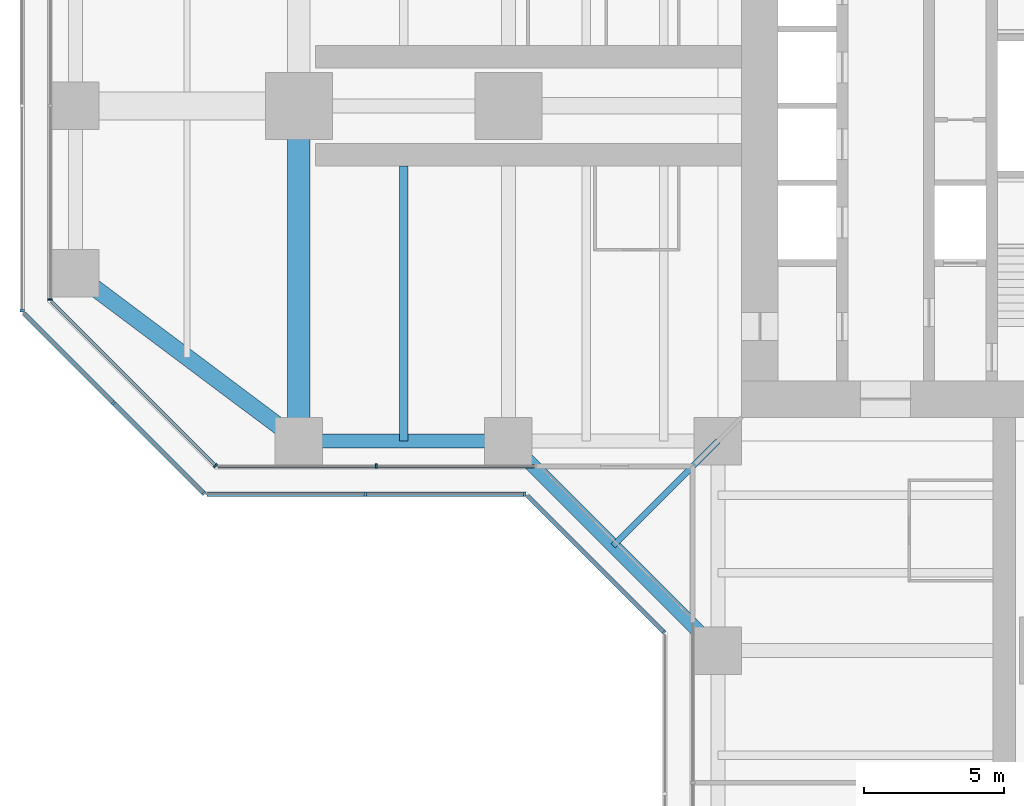
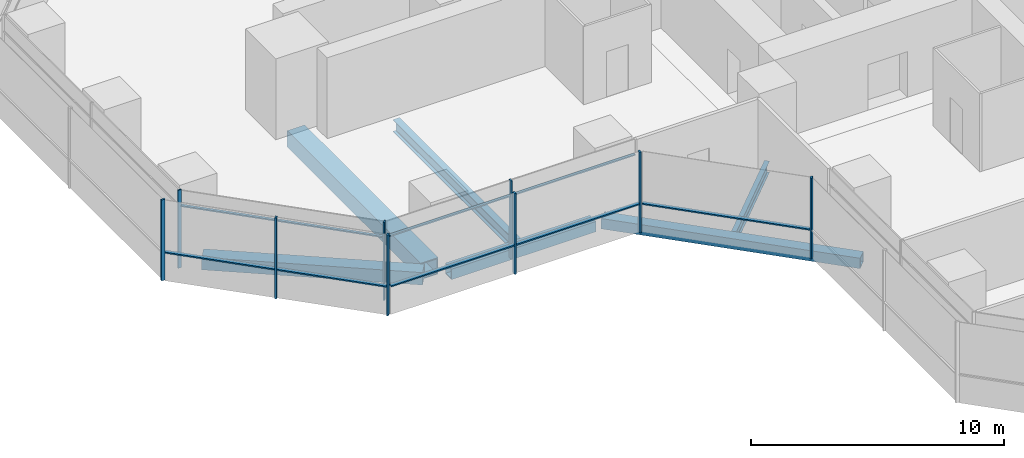
# One storey, part 3 of 22: 17 members, 6 beams, 7 elements without a shape of their own.
"""IFC4 building model written with IfcOpenShell, lengths in metres."""

import ifcopenshell
import ifcopenshell.guid

model = None  # the IFC model being written
_history = None  # IfcOwnerHistory: only IFC2X3 demands one
_inside = {}  # id of a spatial element -> (the spatial element, [elements in it])
_under = {}  # id of a project, library or spatial element -> (it, [spatial elements below it])
_declared = {}  # id of a project -> (the project, [libraries it declares])
_typed = {}  # id of a type object -> (the type object, [elements of that type])
_made_of = {}  # id of a material, layer set ... -> (it, [elements and type objects made of it])


def new_model(schema):
    """Start an empty IFC model of exactly this schema.

    Asked for "IFC4X3", IfcOpenShell would pick the latest addendum, in which some entities
    have other attributes; the version numbers below select the first issue.
    IFC2X3 requires an IfcOwnerHistory on every rooted entity: one is made here for all.
    """
    global model, _history
    if schema == "IFC4X3":
        model = ifcopenshell.file(schema_version=(4, 3, 0, 0))
    else:
        model = ifcopenshell.file(schema=schema)
    _inside.clear()
    _under.clear()
    _declared.clear()
    _typed.clear()
    _made_of.clear()
    _history = None
    if model.schema == "IFC2X3":
        org = make("IfcOrganization", Name="unknown")
        user = make(
            "IfcPersonAndOrganization",
            ThePerson=make("IfcPerson", FamilyName="unknown"),
            TheOrganization=org,
        )
        app = make(
            "IfcApplication",
            ApplicationDeveloper=org,
            Version="unknown",
            ApplicationFullName="unknown",
            ApplicationIdentifier="unknown",
        )
        _history = make(
            "IfcOwnerHistory",
            OwningUser=user,
            OwningApplication=app,
            ChangeAction="ADDED",
            CreationDate=0,
        )
    return model


def make(cls, **values):
    """One entity of the class cls with the attributes given. An attribute that is None is left unset."""
    return model.create_entity(
        cls, **{name: value for name, value in values.items() if value is not None}
    )


def rooted(cls, **values):
    """An entity with a GlobalId (a new one), such as an element, a storey or a relation."""
    return make(cls, GlobalId=ifcopenshell.guid.new(), OwnerHistory=_history, **values)


def si_unit(unit_type, name, prefix=None):
    """IfcSIUnit, for example si_unit("LENGTHUNIT", "METRE", prefix="MILLI")."""
    return make("IfcSIUnit", UnitType=unit_type, Prefix=prefix, Name=name)


def assignment(units):
    """IfcUnitAssignment: the units of a project."""
    return None if units is None else make("IfcUnitAssignment", Units=units)


def point(xyz):
    """IfcCartesianPoint."""
    return None if xyz is None else make("IfcCartesianPoint", Coordinates=xyz)


def direction(xyz):
    """IfcDirection."""
    return None if xyz is None else make("IfcDirection", DirectionRatios=xyz)


def frame(location, z_axis=None, x_axis=None):
    """IfcAxis2Placement3D, a coordinate frame: its origin and axes. An axis left out is left unset."""
    return make(
        "IfcAxis2Placement3D",
        Location=point(location),
        Axis=direction(z_axis),
        RefDirection=direction(x_axis),
    )


def frame_2d(location, x_axis=None):
    """IfcAxis2Placement2D, a coordinate frame in the plane: its origin and x axis."""
    return make(
        "IfcAxis2Placement2D", Location=point(location), RefDirection=direction(x_axis)
    )


def origin():
    """The frame at (0, 0, 0) with its axes left unset."""
    return frame((0.0, 0.0, 0.0))


def origin_2d():
    """The frame at (0, 0) in the plane with its x axis left unset."""
    return frame_2d((0.0, 0.0))


def place(relative_to, where):
    """IfcLocalPlacement: puts the frame where relative to a parent placement (None: the world)."""
    return make(
        "IfcLocalPlacement", PlacementRelTo=relative_to, RelativePlacement=where
    )


def context(
    kind, dimensions, precision=None, world=None, true_north=None, identifier=None
):
    """IfcGeometricRepresentationContext, for example the 3D "Model" context."""
    return make(
        "IfcGeometricRepresentationContext",
        ContextIdentifier=identifier,
        ContextType=kind,
        CoordinateSpaceDimension=dimensions,
        Precision=precision,
        WorldCoordinateSystem=world,
        TrueNorth=true_north,
    )


def subcontext(parent, identifier, kind, view, scale=None):
    """IfcGeometricRepresentationSubContext, for example "Body" below "Model"."""
    return make(
        "IfcGeometricRepresentationSubContext",
        ContextIdentifier=identifier,
        ContextType=kind,
        ParentContext=parent,
        TargetScale=scale,
        TargetView=view,
    )


def project(units=None, contexts=None):
    """IfcProject with its units and contexts."""
    return rooted(
        "IfcProject",
        Name="project",
        RepresentationContexts=contexts,
        UnitsInContext=assignment(units),
    )


def spatial(cls, under=None, at=None, **own):
    """A site, building, storey or space (cls), placed at a placement, below another one or the project."""
    s = rooted(cls, ObjectPlacement=at, **own)
    if under is not None:
        _under.setdefault(under.id(), (under, []))[1].append(s)
    return s


def profile(cls, at=None, kind="AREA", **sizes):
    """A parametric profile (cls). Its sizes go by their IFC names, for example OverallWidth=200.0."""
    return make(cls, ProfileType=kind, Position=at, **sizes)


def rectangle(**sizes):
    """IfcRectangleProfileDef."""
    return profile("IfcRectangleProfileDef", **sizes)


def hollow_rectangle(**sizes):
    """IfcRectangleHollowProfileDef."""
    return profile("IfcRectangleHollowProfileDef", **sizes)


def i_section(**sizes):
    """IfcIShapeProfileDef."""
    return profile("IfcIShapeProfileDef", **sizes)


def extrude(swept, where, along, depth):
    """IfcExtrudedAreaSolid: the profile swept, set in the frame where, extruded along a direction by depth."""
    return make(
        "IfcExtrudedAreaSolid",
        SweptArea=swept,
        Position=where,
        ExtrudedDirection=direction(along),
        Depth=depth,
    )


def shape(context_of_items, identifier, shape_type, items):
    """IfcShapeRepresentation: the items that make up one representation, for example the "Body"."""
    return make(
        "IfcShapeRepresentation",
        ContextOfItems=context_of_items,
        RepresentationIdentifier=identifier,
        RepresentationType=shape_type,
        Items=items,
    )


def material(Name=None, Category=None):
    """IfcMaterial."""
    return make("IfcMaterial", Name=Name, Category=Category)


def material_profile(
    of_material, cross_section, Name=None, Category=None, Priority=None
):
    """IfcMaterialProfile: a cross section and its material."""
    return make(
        "IfcMaterialProfile",
        Name=Name,
        Material=of_material,
        Profile=cross_section,
        Priority=Priority,
        Category=Category,
    )


def profile_set(profiles, Name=None, composite=None):
    """IfcMaterialProfileSet."""
    return make(
        "IfcMaterialProfileSet",
        Name=Name,
        MaterialProfiles=profiles,
        CompositeProfile=composite,
    )


def made_of(thing, what):
    """Note that an element or type object is made of a material, layer set ...; save() writes the relation."""
    if what is not None:
        _made_of.setdefault(what.id(), (what, []))[1].append(thing)
    return thing


def type_object(cls, material=None, **own):
    """A type object (cls), such as IfcWallType, which elements share."""
    return made_of(rooted(cls, **own), material)


def element(
    cls,
    number,
    at=None,
    inside=None,
    cuts=None,
    type_object=None,
    material=None,
    context=None,
    identifier="Body",
    shape_type=None,
    held_by="IfcProductDefinitionShape",
    body=None,
    shapes=None,
    **own,
):
    """One element of the class cls, such as IfcWall. Its Tag is "e" and its number.

    at: its placement. inside: the storey or other place that contains it. cuts: it is an
    opening in that element (IfcRelVoidsElement). A single representation is given by context,
    identifier, shape_type and body (its items); several are given by shapes. held_by: the class
    of the entity that holds the representations. save() writes the other relations.
    """
    e = rooted(cls, Tag="e%d" % number, ObjectPlacement=at, **own)
    if body is not None:
        shapes = [shape(context, identifier, shape_type, body)]
    if shapes is not None:
        e.Representation = make(held_by, Representations=shapes)
    if inside is not None:
        _inside.setdefault(inside.id(), (inside, []))[1].append(e)
    if cuts is not None:
        rooted(
            "IfcRelVoidsElement", RelatingBuildingElement=cuts, RelatedOpeningElement=e
        )
    if type_object is not None:
        _typed.setdefault(type_object.id(), (type_object, []))[1].append(e)
    return made_of(e, material)


def aggregate(whole, parts):
    """IfcRelAggregates: a whole, such as a stair, and the parts it consists of."""
    return rooted("IfcRelAggregates", RelatingObject=whole, RelatedObjects=parts)


def save(model, path):
    """Write the relations noted so far, then the file.

    IfcRelAggregates (storeys below a building ...), IfcRelContainedInSpatialStructure (elements
    in a storey), IfcRelDefinesByType, IfcRelAssociatesMaterial and IfcRelDeclares: one each for
    every whole, place, type object, material and project.
    """
    for whole, parts in _under.values():
        aggregate(whole, parts)
    for where, things in _inside.values():
        rooted(
            "IfcRelContainedInSpatialStructure",
            RelatedElements=things,
            RelatingStructure=where,
        )
    for kind, things in _typed.values():
        rooted("IfcRelDefinesByType", RelatedObjects=things, RelatingType=kind)
    for what, things in _made_of.values():
        rooted("IfcRelAssociatesMaterial", RelatedObjects=things, RelatingMaterial=what)
    for by, libraries in _declared.values():
        rooted("IfcRelDeclares", RelatingContext=by, RelatedDefinitions=libraries)
    model.write(path)


model = new_model("IFC4")

# Units and contexts
model_context = context("Model", 3, precision=1e-05, world=origin(), true_north=direction((0.0, 1.0)))
body_context = subcontext(model_context, "Body", "Model", "MODEL_VIEW")
ifc_project = project(units=[si_unit("LENGTHUNIT", "METRE"), si_unit("AREAUNIT", "SQUARE_METRE"), si_unit("VOLUMEUNIT", "CUBIC_METRE"), si_unit("PLANEANGLEUNIT", "RADIAN"), si_unit("MASSUNIT", "GRAM", prefix="KILO")], contexts=[model_context])

# Site, building, storey
site_placement = place(None, origin())
site = spatial("IfcSite", under=ifc_project, at=site_placement, CompositionType="ELEMENT")
building_placement = place(site_placement, origin())
building = spatial("IfcBuilding", under=site, at=building_placement, Name="Mizan Broadcast Tower", CompositionType="ELEMENT")
storey_placement = place(building_placement, frame((0.0, 0.0, 94.199951171875)))
storey = spatial("IfcBuildingStorey", under=building, at=storey_placement, Name="L20", CompositionType="ELEMENT", Elevation=94.199951171875)

# Beams
ifc_material_1 = material(Name="Steel S355", Category="steel")
ifc_material_profile_1 = material_profile(ifc_material_1, hollow_rectangle(XDim=0.5, YDim=0.5, WallThickness=0.030029296875, at=origin_2d()), Name="BOX 500x500x30")
ifc_profile_set_1 = profile_set([ifc_material_profile_1], Name="Steel S355")
beam_type_1 = type_object("IfcBeamType", Name="EDGE BEAM BOX 500x500x30", PredefinedType="SPANDREL", material=ifc_profile_set_1)
beam_1_placement = place(storey_placement, frame((-19.949951171875, -12.0, -0.3798828125), z_axis=(-1.0, 0.0, 0.0), x_axis=(0.0, -1.0, 0.0)))
element("IfcBeam", 1, at=beam_1_placement, inside=storey, type_object=beam_type_1, Name="Edge beam BOX 500x500x30 L20 west arm", PredefinedType="SPANDREL", context=body_context, shape_type="SweptSolid", body=[
    extrude(hollow_rectangle(XDim=0.5, YDim=0.5, WallThickness=0.030029296875, at=origin_2d()), origin(), (0.0, 0.0, 1.0), 6.60009765625),
])
beam_2_placement = place(storey_placement, frame((-19.5, -12.0, -0.3798828125), z_axis=(0.707106781187, -0.707106781187, 0.0), x_axis=(0.707106781187, 0.707106781187, 0.0)))
element("IfcBeam", 2, at=beam_2_placement, inside=storey, type_object=beam_type_1, Name="Winter garden edge beam L20 W", PredefinedType="SPANDREL", context=body_context, shape_type="SweptSolid", body=[
    extrude(hollow_rectangle(XDim=0.5, YDim=0.5, WallThickness=0.030029296875, at=origin_2d()), origin(), (0.0, 0.0, 1.0), 10.606689453125),
])
ifc_material_2 = material(Name="Steel S355", Category="steel")
ifc_material_profile_2 = material_profile(ifc_material_2, hollow_rectangle(XDim=0.60009765625, YDim=0.60009765625, WallThickness=0.030029296875, at=origin_2d()), Name="BOX 600x600x30")
ifc_profile_set_2 = profile_set([ifc_material_profile_2], Name="Steel S355")
beam_type_2 = type_object("IfcBeamType", Name="EDGE BEAM BOX 600x600x30", PredefinedType="SPANDREL", material=ifc_profile_set_2)
beam_3_placement = place(storey_placement, frame((-27.47998046875, -11.639892578125, -0.429931640625), z_axis=(-0.800013316712, 0.599982243973, 0.0), x_axis=(-0.599982243973, -0.800013316712, 0.0)))
element("IfcBeam", 3, at=beam_3_placement, inside=storey, type_object=beam_type_2, Name="Edge beam BOX 600x600x30 L20 west arm", PredefinedType="SPANDREL", context=body_context, shape_type="SweptSolid", body=[
    extrude(hollow_rectangle(XDim=0.60009765625, YDim=0.60009765625, WallThickness=0.030029296875, at=origin_2d()), origin(), (0.0, 0.0, 1.0), 8.7998046875),
])
ifc_material_3 = material(Name="Steel S460", Category="steel")
ifc_material_profile_3 = material_profile(ifc_material_3, hollow_rectangle(XDim=0.800048828125, YDim=0.800048828125, WallThickness=0.050048828125, at=origin_2d()), Name="BOX 800x800x50")
ifc_profile_set_3 = profile_set([ifc_material_profile_3], Name="Steel S460")
beam_type_3 = type_object("IfcBeamType", Name="GIRDER BOX 800x800x50", PredefinedType="BEAM", material=ifc_profile_set_3)
beam_4_placement = place(storey_placement, frame((-27.0, -11.280029296875, -0.530029296875), z_axis=(0.0, 1.0, 0.0), x_axis=(-1.0, 0.0, 0.0)))
element("IfcBeam", 4, at=beam_4_placement, inside=storey, type_object=beam_type_3, Name="Girder BOX 800x800x50 L20 west arm", PredefinedType="BEAM", context=body_context, shape_type="SweptSolid", body=[
    extrude(hollow_rectangle(XDim=0.800048828125, YDim=0.800048828125, WallThickness=0.050048828125, at=origin_2d()), origin(), (0.0, 0.0, 1.0), 10.56005859375),
])

# Curtain wall, member
ifc_material_4 = material(Name="Aluminium framed glazing", Category="aluminium")
curtain_wall_type_1 = type_object("IfcCurtainWallType", Name="INNER SKIN LOW ZONE", PredefinedType="USERDEFINED", material=ifc_material_4)
curtain_wall_1_placement = place(storey_placement, origin())
curtain_wall_1 = element("IfcCurtainWall", 5, at=curtain_wall_1_placement, inside=storey, type_object=curtain_wall_type_1, Name="Inner skin low zone L20 W end", ObjectType="INNER SKIN LOW ZONE", PredefinedType="USERDEFINED")
ifc_material_5 = material(Name="Aluminium, pale anodised", Category="aluminium")
ifc_material_profile_4 = material_profile(ifc_material_5, rectangle(XDim=0.159912109375, YDim=0.06005859375, at=origin_2d()), Name="MULLION 160x60")
ifc_profile_set_4 = profile_set([ifc_material_profile_4], Name="Aluminium, pale anodised")
member_type_1 = type_object("IfcMemberType", Name="INNER SKIN MULLION 60x160", PredefinedType="MULLION", material=ifc_profile_set_4)
member_1_placement = place(storey_placement, frame((-35.89990234375, -6.928466796875, 0.0), z_axis=(0.0, 0.0, 1.0), x_axis=(1.0, 0.0, 0.0)))
member_1 = element("IfcMember", 6, at=member_1_placement, type_object=member_type_1, Name="Inner skin low zone L20 W end mullion 3", PredefinedType="MULLION", context=body_context, shape_type="SweptSolid", body=[
    extrude(rectangle(XDim=0.159912109375, YDim=0.06005859375, at=origin_2d()), origin(), (0.0, 0.0, 1.0), 3.77001953125),
])
aggregate(curtain_wall_1, [member_1])

curtain_wall_2_placement = place(storey_placement, origin())
curtain_wall_2 = element("IfcCurtainWall", 7, at=curtain_wall_2_placement, inside=storey, type_object=curtain_wall_type_1, Name="Inner skin low zone L20 W chamfer", ObjectType="INNER SKIN LOW ZONE", PredefinedType="USERDEFINED")
member_2_placement = place(storey_placement, frame((-29.979736328125, -12.87890625, 0.0), z_axis=(0.0, 0.0, 1.0), x_axis=(0.707106781187, 0.707106781187, 0.0)))
member_2 = element("IfcMember", 8, at=member_2_placement, type_object=member_type_1, Name="Inner skin low zone L20 W chamfer mullion 2", PredefinedType="MULLION", context=body_context, shape_type="SweptSolid", body=[
    extrude(rectangle(XDim=0.159912109375, YDim=0.06005859375, at=origin_2d()), origin(), (0.0, 0.0, 1.0), 3.77001953125),
])

curtain_wall_3_placement = place(storey_placement, origin())
curtain_wall_3 = element("IfcCurtainWall", 9, at=curtain_wall_3_placement, inside=storey, type_object=curtain_wall_type_1, Name="Inner skin low zone L20 W side", ObjectType="INNER SKIN LOW ZONE", PredefinedType="USERDEFINED")
member_3_placement = place(storey_placement, frame((-24.229248046875, -12.89990234375, 0.0), z_axis=(0.0, 0.0, 1.0), x_axis=(0.0, 1.0, 0.0)))
member_3 = element("IfcMember", 10, at=member_3_placement, type_object=member_type_1, Name="Inner skin low zone L20 W side mullion 2", PredefinedType="MULLION", context=body_context, shape_type="SweptSolid", body=[
    extrude(rectangle(XDim=0.159912109375, YDim=0.06005859375, at=origin_2d()), origin(), (0.0, 0.0, 1.0), 3.77001953125),
])

# Member
ifc_material_6 = material(Name="Aluminium, pale anodised", Category="aluminium")
ifc_material_profile_5 = material_profile(ifc_material_6, rectangle(XDim=0.1201171875, YDim=0.06005859375, at=origin_2d()), Name="TRANSOM 120x60")
ifc_profile_set_5 = profile_set([ifc_material_profile_5], Name="Aluminium, pale anodised")
member_type_2 = type_object("IfcMemberType", Name="INNER SKIN TRANSOM 60x120", PredefinedType="USERDEFINED", material=ifc_profile_set_5)
member_4_placement = place(storey_placement, frame((-35.857666015625, -7.0009765625, 3.030029296875), z_axis=(0.707106781187, -0.707106781187, 0.0), x_axis=(0.707106781187, 0.707106781187, 0.0)))
member_4 = element("IfcMember", 11, at=member_4_placement, type_object=member_type_2, Name="Inner skin low zone L20 W chamfer transom 1.1", ObjectType="TRANSOM", PredefinedType="USERDEFINED", context=body_context, shape_type="SweptSolid", body=[
    extrude(rectangle(XDim=0.1201171875, YDim=0.06005859375, at=origin_2d()), origin(), (0.0, 0.0, 1.0), 8.28271484375),
])

aggregate(curtain_wall_2, [member_2, member_4])

member_5_placement = place(storey_placement, frame((-29.898681640625, -12.89990234375, 3.030029296875), z_axis=(1.0, 0.0, 0.0), x_axis=(0.0, 1.0, 0.0)))
member_5 = element("IfcMember", 12, at=member_5_placement, type_object=member_type_2, Name="Inner skin low zone L20 W side transom 1.1", ObjectType="TRANSOM", PredefinedType="USERDEFINED", context=body_context, shape_type="SweptSolid", body=[
    extrude(rectangle(XDim=0.1201171875, YDim=0.06005859375, at=origin_2d()), origin(), (0.0, 0.0, 1.0), 5.639404296875),
])

member_6_placement = place(storey_placement, frame((-24.19921875, -12.89990234375, 3.030029296875), z_axis=(1.0, 0.0, 0.0), x_axis=(0.0, 1.0, 0.0)))
member_6 = element("IfcMember", 13, at=member_6_placement, type_object=member_type_2, Name="Inner skin low zone L20 W side transom 2.1", ObjectType="TRANSOM", PredefinedType="USERDEFINED", context=body_context, shape_type="SweptSolid", body=[
    extrude(rectangle(XDim=0.1201171875, YDim=0.06005859375, at=origin_2d()), origin(), (0.0, 0.0, 1.0), 5.63916015625),
])

aggregate(curtain_wall_3, [member_3, member_5, member_6])

# Curtain wall, member
ifc_material_7 = material(Name="Aluminium framed glazing", Category="aluminium")
curtain_wall_type_2 = type_object("IfcCurtainWallType", Name="OUTER SKIN", PredefinedType="USERDEFINED", material=ifc_material_7)
curtain_wall_4_placement = place(storey_placement, origin())
curtain_wall_4 = element("IfcCurtainWall", 14, at=curtain_wall_4_placement, inside=storey, type_object=curtain_wall_type_2, Name="Outer skin L20 W end", ObjectType="OUTER SKIN", PredefinedType="USERDEFINED")
ifc_material_8 = material(Name="Aluminium, pale anodised", Category="aluminium")
ifc_material_profile_6 = material_profile(ifc_material_8, rectangle(XDim=0.159912109375, YDim=0.080078125, at=origin_2d()), Name="MULLION 160x80")
ifc_profile_set_6 = profile_set([ifc_material_profile_6], Name="Aluminium, pale anodised")
member_type_3 = type_object("IfcMemberType", Name="OUTER SKIN MULLION 80x160", PredefinedType="MULLION", material=ifc_profile_set_6)
member_7_placement = place(storey_placement, frame((-36.89990234375, -7.332763671875, 0.0), z_axis=(0.0, 0.0, 1.0), x_axis=(1.0, 0.0, 0.0)))
member_7 = element("IfcMember", 15, at=member_7_placement, type_object=member_type_3, Name="Outer skin L20 W end mullion 3", PredefinedType="MULLION", context=body_context, shape_type="SweptSolid", body=[
    extrude(rectangle(XDim=0.159912109375, YDim=0.080078125, at=origin_2d()), origin(), (0.0, 0.0, 1.0), 3.900146484375),
])
aggregate(curtain_wall_4, [member_7])

# Curtain wall, members
curtain_wall_5_placement = place(storey_placement, origin())
curtain_wall_5 = element("IfcCurtainWall", 16, at=curtain_wall_5_placement, inside=storey, type_object=curtain_wall_type_2, Name="Outer skin L20 W chamfer", ObjectType="OUTER SKIN", PredefinedType="USERDEFINED")
member_8_placement = place(storey_placement, frame((-33.636474609375, -10.636474609375, 0.0), z_axis=(0.0, 0.0, 1.0), x_axis=(0.707106781187, 0.707106781187, 0.0)))
member_8 = element("IfcMember", 17, at=member_8_placement, type_object=member_type_3, Name="Outer skin L20 W chamfer mullion 2", PredefinedType="MULLION", context=body_context, shape_type="SweptSolid", body=[
    extrude(rectangle(XDim=0.159912109375, YDim=0.080078125, at=origin_2d()), origin(), (0.0, 0.0, 1.0), 3.900146484375),
])
member_9_placement = place(storey_placement, frame((-30.401123046875, -13.871826171875, 0.0), z_axis=(0.0, 0.0, 1.0), x_axis=(0.707106781187, 0.707106781187, 0.0)))
member_9 = element("IfcMember", 18, at=member_9_placement, type_object=member_type_3, Name="Outer skin L20 W chamfer mullion 3", PredefinedType="MULLION", context=body_context, shape_type="SweptSolid", body=[
    extrude(rectangle(XDim=0.159912109375, YDim=0.080078125, at=origin_2d()), origin(), (0.0, 0.0, 1.0), 3.900146484375),
])

curtain_wall_6_placement = place(storey_placement, origin())
curtain_wall_6 = element("IfcCurtainWall", 19, at=curtain_wall_6_placement, inside=storey, type_object=curtain_wall_type_2, Name="Outer skin L20 W side", ObjectType="OUTER SKIN", PredefinedType="USERDEFINED")
member_10_placement = place(storey_placement, frame((-24.622802734375, -13.89990234375, 0.0), z_axis=(0.0, 0.0, 1.0), x_axis=(0.0, 1.0, 0.0)))
member_10 = element("IfcMember", 20, at=member_10_placement, type_object=member_type_3, Name="Outer skin L20 W side mullion 2", PredefinedType="MULLION", context=body_context, shape_type="SweptSolid", body=[
    extrude(rectangle(XDim=0.159912109375, YDim=0.080078125, at=origin_2d()), origin(), (0.0, 0.0, 1.0), 3.900146484375),
])
member_11_placement = place(storey_placement, frame((-18.912841796875, -13.89990234375, 0.0), z_axis=(0.0, 0.0, 1.0), x_axis=(0.0, 1.0, 0.0)))
member_11 = element("IfcMember", 21, at=member_11_placement, type_object=member_type_3, Name="Outer skin L20 W side mullion 3", PredefinedType="MULLION", context=body_context, shape_type="SweptSolid", body=[
    extrude(rectangle(XDim=0.159912109375, YDim=0.080078125, at=origin_2d()), origin(), (0.0, 0.0, 1.0), 3.900146484375),
])

# Curtain wall, member
curtain_wall_7_placement = place(storey_placement, origin())
curtain_wall_7 = element("IfcCurtainWall", 22, at=curtain_wall_7_placement, inside=storey, type_object=curtain_wall_type_2, Name="Outer skin L20 W chamfer", ObjectType="OUTER SKIN", PredefinedType="USERDEFINED")
member_12_placement = place(storey_placement, frame((-13.92822265625, -18.844482421875, 0.0), z_axis=(0.0, 0.0, 1.0), x_axis=(0.707106781187, 0.707106781187, 0.0)))
member_12 = element("IfcMember", 23, at=member_12_placement, type_object=member_type_3, Name="Outer skin L20 W chamfer mullion 2", PredefinedType="MULLION", context=body_context, shape_type="SweptSolid", body=[
    extrude(rectangle(XDim=0.159912109375, YDim=0.080078125, at=origin_2d()), origin(), (0.0, 0.0, 1.0), 3.900146484375),
])

# Member
ifc_material_9 = material(Name="Aluminium, pale anodised", Category="aluminium")
ifc_material_profile_7 = material_profile(ifc_material_9, rectangle(XDim=0.159912109375, YDim=0.06005859375, at=origin_2d()), Name="TRANSOM 160x60")
ifc_profile_set_7 = profile_set([ifc_material_profile_7], Name="Aluminium, pale anodised")
member_type_4 = type_object("IfcMemberType", Name="OUTER SKIN TRANSOM 60x160", PredefinedType="USERDEFINED", material=ifc_profile_set_7)
member_13_placement = place(storey_placement, frame((-36.843505859375, -7.429443359375, 1.400146484375), z_axis=(0.707106781187, -0.707106781187, 0.0), x_axis=(0.707106781187, 0.707106781187, 0.0)))
member_13 = element("IfcMember", 24, at=member_13_placement, type_object=member_type_4, Name="Outer skin L20 W chamfer transom 1.1", ObjectType="TRANSOM", PredefinedType="USERDEFINED", context=body_context, shape_type="SweptSolid", body=[
    extrude(rectangle(XDim=0.159912109375, YDim=0.06005859375, at=origin_2d()), origin(), (0.0, 0.0, 1.0), 4.495361328125),
])

member_14_placement = place(storey_placement, frame((-33.608154296875, -10.664794921875, 1.400146484375), z_axis=(0.707106781187, -0.707106781187, 0.0), x_axis=(0.707106781187, 0.707106781187, 0.0)))
member_14 = element("IfcMember", 25, at=member_14_placement, type_object=member_type_4, Name="Outer skin L20 W chamfer transom 2.1", ObjectType="TRANSOM", PredefinedType="USERDEFINED", context=body_context, shape_type="SweptSolid", body=[
    extrude(rectangle(XDim=0.159912109375, YDim=0.06005859375, at=origin_2d()), origin(), (0.0, 0.0, 1.0), 4.495361328125),
])

aggregate(curtain_wall_5, [member_8, member_9, member_13, member_14])

member_15_placement = place(storey_placement, frame((-30.292724609375, -13.89990234375, 1.400146484375), z_axis=(1.0, 0.0, 0.0), x_axis=(0.0, 1.0, 0.0)))
member_15 = element("IfcMember", 26, at=member_15_placement, type_object=member_type_4, Name="Outer skin L20 W side transom 1.1", ObjectType="TRANSOM", PredefinedType="USERDEFINED", context=body_context, shape_type="SweptSolid", body=[
    extrude(rectangle(XDim=0.159912109375, YDim=0.06005859375, at=origin_2d()), origin(), (0.0, 0.0, 1.0), 5.6298828125),
])

member_16_placement = place(storey_placement, frame((-24.582763671875, -13.89990234375, 1.400146484375), z_axis=(1.0, 0.0, 0.0), x_axis=(0.0, 1.0, 0.0)))
member_16 = element("IfcMember", 27, at=member_16_placement, type_object=member_type_4, Name="Outer skin L20 W side transom 2.1", ObjectType="TRANSOM", PredefinedType="USERDEFINED", context=body_context, shape_type="SweptSolid", body=[
    extrude(rectangle(XDim=0.159912109375, YDim=0.06005859375, at=origin_2d()), origin(), (0.0, 0.0, 1.0), 5.6298828125),
])

aggregate(curtain_wall_6, [member_10, member_11, member_15, member_16])

member_17_placement = place(storey_placement, frame((-18.816162109375, -13.95654296875, 1.400146484375), z_axis=(0.707106781187, -0.707106781187, 0.0), x_axis=(0.707106781187, 0.707106781187, 0.0)))
member_17 = element("IfcMember", 28, at=member_17_placement, type_object=member_type_4, Name="Outer skin L20 W chamfer transom 1.1", ObjectType="TRANSOM", PredefinedType="USERDEFINED", context=body_context, shape_type="SweptSolid", body=[
    extrude(rectangle(XDim=0.159912109375, YDim=0.06005859375, at=origin_2d()), origin(), (0.0, 0.0, 1.0), 6.87255859375),
])

aggregate(curtain_wall_7, [member_12, member_17])

# Beams
ifc_material_10 = material(Name="Steel S355", Category="steel")
ifc_material_profile_8 = material_profile(ifc_material_10, i_section(OverallWidth=0.300048828125, OverallDepth=0.590087890625, WebThickness=0.012939453125, FlangeThickness=0.02490234375, FilletRadius=0.027099609375, at=origin_2d()), Name="HEA 600")
ifc_profile_set_8 = profile_set([ifc_material_profile_8], Name="Steel S355")
beam_type_4 = type_object("IfcBeamType", Name="SECONDARY BEAM HEA 600", PredefinedType="JOIST", material=ifc_profile_set_8)
beam_5_placement = place(storey_placement, frame((-23.25, -12.0, -0.425048828125), z_axis=(0.0, 1.0, 0.0), x_axis=(-1.0, 0.0, 0.0)))
element("IfcBeam", 29, at=beam_5_placement, inside=storey, type_object=beam_type_4, Name="Secondary beam HEA 600 L20 west arm", PredefinedType="JOIST", context=body_context, shape_type="SweptSolid", body=[
    extrude(i_section(OverallWidth=0.300048828125, OverallDepth=0.590087890625, WebThickness=0.012939453125, FlangeThickness=0.02490234375, FilletRadius=0.027099609375, at=origin_2d()), origin(), (0.0, 0.0, 1.0), 9.85009765625),
])
ifc_material_11 = material(Name="Steel S355", Category="steel")
ifc_material_profile_9 = material_profile(ifc_material_11, i_section(OverallWidth=0.2099609375, OverallDepth=0.550048828125, WebThickness=0.010986328125, FlangeThickness=0.01708984375, FilletRadius=0.02392578125, at=origin_2d()), Name="IPE 550")
ifc_profile_set_9 = profile_set([ifc_material_profile_9], Name="Steel S355")
beam_type_5 = type_object("IfcBeamType", Name="SECONDARY BEAM IPE 550", PredefinedType="JOIST", material=ifc_profile_set_9)
beam_6_placement = place(storey_placement, frame((-12.0, -12.0, -0.405029296875), z_axis=(-0.707106781187, -0.707106781187, 0.0), x_axis=(0.707106781187, -0.707106781187, 0.0)))
element("IfcBeam", 30, at=beam_6_placement, inside=storey, type_object=beam_type_5, Name="Winter garden beam L20 W", PredefinedType="JOIST", context=body_context, shape_type="SweptSolid", body=[
    extrude(i_section(OverallWidth=0.2099609375, OverallDepth=0.550048828125, WebThickness=0.010986328125, FlangeThickness=0.01708984375, FilletRadius=0.02392578125, at=origin_2d()), origin(), (0.0, 0.0, 1.0), 5.30322265625),
])

save(model, "model.ifc")
